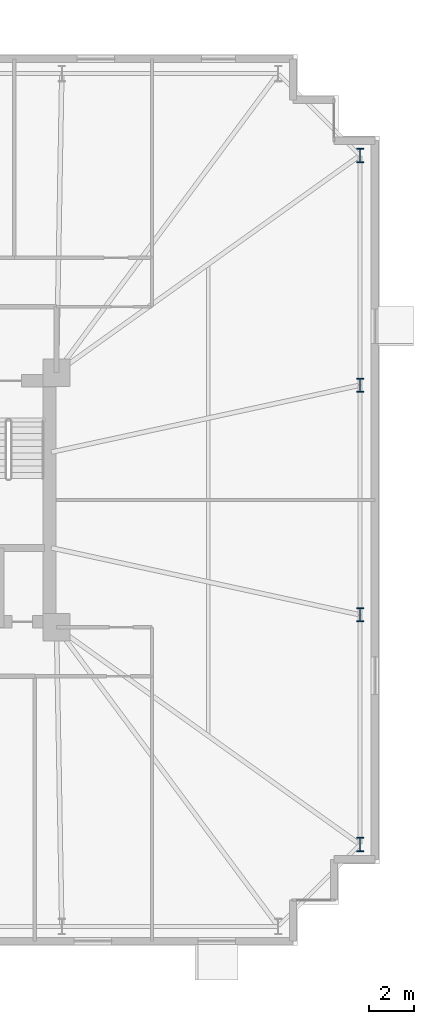
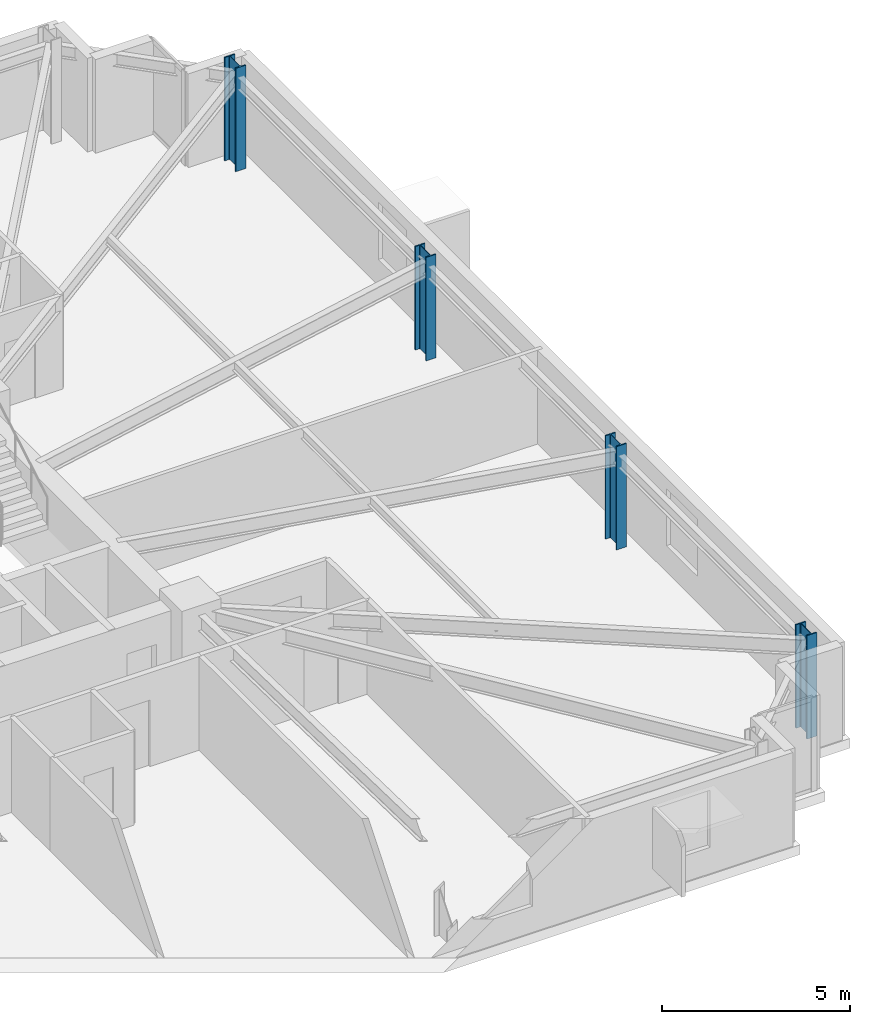
# One storey, part 3 of 20: 4 columns.
"""IFC4 building model written with IfcOpenShell, lengths in metres."""

from ifc_helpers import new_model, si_unit, direction, frame, origin, origin_2d, place, context, subcontext, project, spatial, i_section, extrude, material, material_profile, profile_set, type_object, element, save


model = new_model("IFC4")

# Units and contexts
model_context = context("Model", 3, precision=1e-05, world=origin(), true_north=direction((0.0, 1.0)))
body_context = subcontext(model_context, "Body", "Model", "MODEL_VIEW")
ifc_project = project(units=[si_unit("LENGTHUNIT", "METRE"), si_unit("AREAUNIT", "SQUARE_METRE"), si_unit("VOLUMEUNIT", "CUBIC_METRE"), si_unit("PLANEANGLEUNIT", "RADIAN"), si_unit("MASSUNIT", "GRAM", prefix="KILO")], contexts=[model_context])

# Site, building, storey
site_placement = place(None, origin())
site = spatial("IfcSite", under=ifc_project, at=site_placement, CompositionType="ELEMENT")
building_placement = place(site_placement, origin())
building = spatial("IfcBuilding", under=site, at=building_placement, Name="Qobustan Lattice House", CompositionType="ELEMENT")
storey_placement = place(building_placement, frame((0.0, 0.0, 67.199951171875)))
storey = spatial("IfcBuildingStorey", under=building, at=storey_placement, Name="L18", CompositionType="ELEMENT", Elevation=67.199951171875)

# Columns
ifc_material = material(Name="Steel S460", Category="steel")
ifc_material_profile = material_profile(ifc_material, i_section(OverallWidth=0.304931640625, OverallDepth=0.6201171875, WebThickness=0.02099609375, FlangeThickness=0.0400390625, FilletRadius=0.027099609375, at=origin_2d()), Name="HEM600")
ifc_profile_set = profile_set([ifc_material_profile], Name="Steel S460")
column_type = type_object("IfcColumnType", Name="COL-ST-HEM600", PredefinedType="COLUMN", material=ifc_profile_set)
for number, where, z_axis, x_axis, name in (
    (1, (32.14990234375, -15.14990234375, 0.0), (0.0, 0.0, 1.0), (1.0, 0.0, 0.0), "L18 B1 perimeter column E1"),
    (2, (32.14990234375, -5.050048828125, 0.0), (0.0, 0.0, 1.0), (1.0, 0.0, 0.0), "L18 B1 perimeter column E2"),
    (3, (32.14990234375, 5.050048828125, 0.0), (0.0, 0.0, 1.0), (1.0, 0.0, 0.0), "L18 B1 perimeter column E3"),
    (4, (32.14990234375, 15.14990234375, 0.0), (0.0, 0.0, 1.0), (1.0, 0.0, 0.0), "L18 B1 perimeter column E4"),
):
    element("IfcColumn", number, at=place(storey_placement, frame(where, z_axis=z_axis, x_axis=x_axis)), inside=storey, type_object=column_type, Name=name, PredefinedType="COLUMN", context=body_context, shape_type="SweptSolid", body=[
        extrude(i_section(OverallWidth=0.304931640625, OverallDepth=0.6201171875, WebThickness=0.02099609375, FlangeThickness=0.0400390625, FilletRadius=0.027099609375, at=origin_2d()), origin(), (0.0, 0.0, 1.0), 3.35009765625),
    ])

save(model, "model.ifc")
